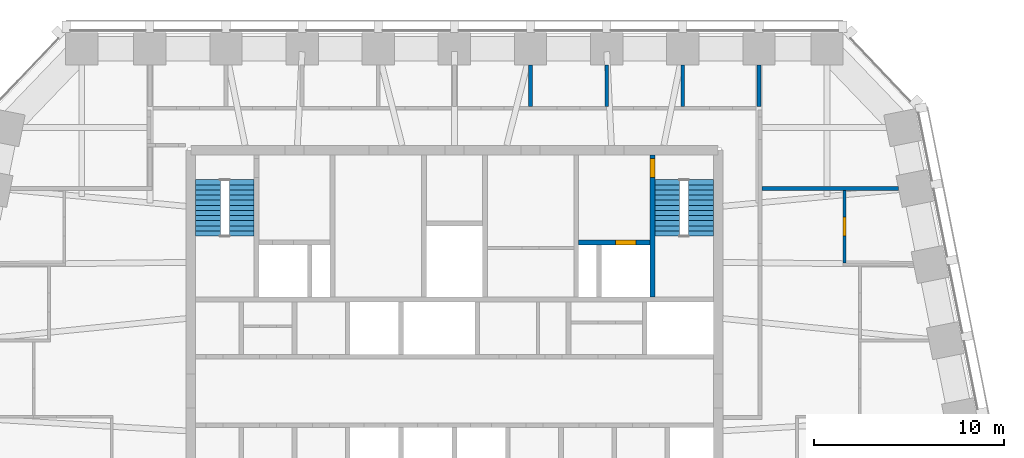
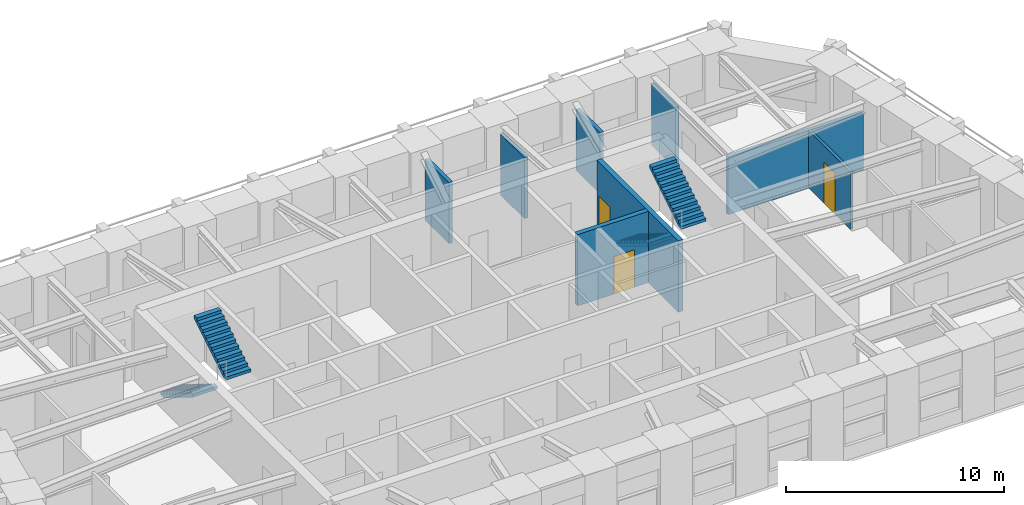
# One storey, part 7 of 9: 8 walls, 4 stair flights, 3 doors, 3 openings, 2 elements without a shape of their own.
"""IFC4 building model written with IfcOpenShell, lengths in metres."""

import ifcopenshell
import ifcopenshell.guid

model = None  # the IFC model being written
_history = None  # IfcOwnerHistory: only IFC2X3 demands one
_inside = {}  # id of a spatial element -> (the spatial element, [elements in it])
_under = {}  # id of a project, library or spatial element -> (it, [spatial elements below it])
_declared = {}  # id of a project -> (the project, [libraries it declares])
_typed = {}  # id of a type object -> (the type object, [elements of that type])
_made_of = {}  # id of a material, layer set ... -> (it, [elements and type objects made of it])


def new_model(schema):
    """Start an empty IFC model of exactly this schema.

    Asked for "IFC4X3", IfcOpenShell would pick the latest addendum, in which some entities
    have other attributes; the version numbers below select the first issue.
    IFC2X3 requires an IfcOwnerHistory on every rooted entity: one is made here for all.
    """
    global model, _history
    if schema == "IFC4X3":
        model = ifcopenshell.file(schema_version=(4, 3, 0, 0))
    else:
        model = ifcopenshell.file(schema=schema)
    _inside.clear()
    _under.clear()
    _declared.clear()
    _typed.clear()
    _made_of.clear()
    _history = None
    if model.schema == "IFC2X3":
        org = make("IfcOrganization", Name="unknown")
        user = make(
            "IfcPersonAndOrganization",
            ThePerson=make("IfcPerson", FamilyName="unknown"),
            TheOrganization=org,
        )
        app = make(
            "IfcApplication",
            ApplicationDeveloper=org,
            Version="unknown",
            ApplicationFullName="unknown",
            ApplicationIdentifier="unknown",
        )
        _history = make(
            "IfcOwnerHistory",
            OwningUser=user,
            OwningApplication=app,
            ChangeAction="ADDED",
            CreationDate=0,
        )
    return model


def make(cls, **values):
    """One entity of the class cls with the attributes given. An attribute that is None is left unset."""
    return model.create_entity(
        cls, **{name: value for name, value in values.items() if value is not None}
    )


def rooted(cls, **values):
    """An entity with a GlobalId (a new one), such as an element, a storey or a relation."""
    return make(cls, GlobalId=ifcopenshell.guid.new(), OwnerHistory=_history, **values)


def si_unit(unit_type, name, prefix=None):
    """IfcSIUnit, for example si_unit("LENGTHUNIT", "METRE", prefix="MILLI")."""
    return make("IfcSIUnit", UnitType=unit_type, Prefix=prefix, Name=name)


def assignment(units):
    """IfcUnitAssignment: the units of a project."""
    return None if units is None else make("IfcUnitAssignment", Units=units)


def point(xyz):
    """IfcCartesianPoint."""
    return None if xyz is None else make("IfcCartesianPoint", Coordinates=xyz)


def direction(xyz):
    """IfcDirection."""
    return None if xyz is None else make("IfcDirection", DirectionRatios=xyz)


def frame(location, z_axis=None, x_axis=None):
    """IfcAxis2Placement3D, a coordinate frame: its origin and axes. An axis left out is left unset."""
    return make(
        "IfcAxis2Placement3D",
        Location=point(location),
        Axis=direction(z_axis),
        RefDirection=direction(x_axis),
    )


def frame_2d(location, x_axis=None):
    """IfcAxis2Placement2D, a coordinate frame in the plane: its origin and x axis."""
    return make(
        "IfcAxis2Placement2D", Location=point(location), RefDirection=direction(x_axis)
    )


def origin():
    """The frame at (0, 0, 0) with its axes left unset."""
    return frame((0.0, 0.0, 0.0))


def place(relative_to, where):
    """IfcLocalPlacement: puts the frame where relative to a parent placement (None: the world)."""
    return make(
        "IfcLocalPlacement", PlacementRelTo=relative_to, RelativePlacement=where
    )


def context(
    kind, dimensions, precision=None, world=None, true_north=None, identifier=None
):
    """IfcGeometricRepresentationContext, for example the 3D "Model" context."""
    return make(
        "IfcGeometricRepresentationContext",
        ContextIdentifier=identifier,
        ContextType=kind,
        CoordinateSpaceDimension=dimensions,
        Precision=precision,
        WorldCoordinateSystem=world,
        TrueNorth=true_north,
    )


def subcontext(parent, identifier, kind, view, scale=None):
    """IfcGeometricRepresentationSubContext, for example "Body" below "Model"."""
    return make(
        "IfcGeometricRepresentationSubContext",
        ContextIdentifier=identifier,
        ContextType=kind,
        ParentContext=parent,
        TargetScale=scale,
        TargetView=view,
    )


def project(units=None, contexts=None):
    """IfcProject with its units and contexts."""
    return rooted(
        "IfcProject",
        Name="project",
        RepresentationContexts=contexts,
        UnitsInContext=assignment(units),
    )


def spatial(cls, under=None, at=None, **own):
    """A site, building, storey or space (cls), placed at a placement, below another one or the project."""
    s = rooted(cls, ObjectPlacement=at, **own)
    if under is not None:
        _under.setdefault(under.id(), (under, []))[1].append(s)
    return s


def polyline(points):
    """IfcPolyline through the points."""
    return make("IfcPolyline", Points=[point(p) for p in points])


def profile(cls, at=None, kind="AREA", **sizes):
    """A parametric profile (cls). Its sizes go by their IFC names, for example OverallWidth=200.0."""
    return make(cls, ProfileType=kind, Position=at, **sizes)


def rectangle(**sizes):
    """IfcRectangleProfileDef."""
    return profile("IfcRectangleProfileDef", **sizes)


def outline(outer, holes=None, kind="AREA"):
    """IfcArbitraryClosedProfileDef: a profile drawn as a closed curve; with holes, ...WithVoids."""
    if holes is None:
        return make("IfcArbitraryClosedProfileDef", ProfileType=kind, OuterCurve=outer)
    return make(
        "IfcArbitraryProfileDefWithVoids",
        ProfileType=kind,
        OuterCurve=outer,
        InnerCurves=holes,
    )


def extrude(swept, where, along, depth):
    """IfcExtrudedAreaSolid: the profile swept, set in the frame where, extruded along a direction by depth."""
    return make(
        "IfcExtrudedAreaSolid",
        SweptArea=swept,
        Position=where,
        ExtrudedDirection=direction(along),
        Depth=depth,
    )


def shape(context_of_items, identifier, shape_type, items):
    """IfcShapeRepresentation: the items that make up one representation, for example the "Body"."""
    return make(
        "IfcShapeRepresentation",
        ContextOfItems=context_of_items,
        RepresentationIdentifier=identifier,
        RepresentationType=shape_type,
        Items=items,
    )


def material(Name=None, Category=None):
    """IfcMaterial."""
    return make("IfcMaterial", Name=Name, Category=Category)


def layer(
    of_material, thickness, ventilated=None, Name=None, Category=None, Priority=None
):
    """IfcMaterialLayer: one layer of a wall or slab, of a material (None: an air gap)."""
    return make(
        "IfcMaterialLayer",
        Material=of_material,
        LayerThickness=thickness,
        IsVentilated=ventilated,
        Name=Name,
        Category=Category,
        Priority=Priority,
    )


def layer_set(layers, Name=None):
    """IfcMaterialLayerSet."""
    return make("IfcMaterialLayerSet", MaterialLayers=layers, LayerSetName=Name)


def made_of(thing, what):
    """Note that an element or type object is made of a material, layer set ...; save() writes the relation."""
    if what is not None:
        _made_of.setdefault(what.id(), (what, []))[1].append(thing)
    return thing


def type_object(cls, material=None, **own):
    """A type object (cls), such as IfcWallType, which elements share."""
    return made_of(rooted(cls, **own), material)


def element(
    cls,
    number,
    at=None,
    inside=None,
    cuts=None,
    type_object=None,
    material=None,
    context=None,
    identifier="Body",
    shape_type=None,
    held_by="IfcProductDefinitionShape",
    body=None,
    shapes=None,
    **own,
):
    """One element of the class cls, such as IfcWall. Its Tag is "e" and its number.

    at: its placement. inside: the storey or other place that contains it. cuts: it is an
    opening in that element (IfcRelVoidsElement). A single representation is given by context,
    identifier, shape_type and body (its items); several are given by shapes. held_by: the class
    of the entity that holds the representations. save() writes the other relations.
    """
    e = rooted(cls, Tag="e%d" % number, ObjectPlacement=at, **own)
    if body is not None:
        shapes = [shape(context, identifier, shape_type, body)]
    if shapes is not None:
        e.Representation = make(held_by, Representations=shapes)
    if inside is not None:
        _inside.setdefault(inside.id(), (inside, []))[1].append(e)
    if cuts is not None:
        rooted(
            "IfcRelVoidsElement", RelatingBuildingElement=cuts, RelatedOpeningElement=e
        )
    if type_object is not None:
        _typed.setdefault(type_object.id(), (type_object, []))[1].append(e)
    return made_of(e, material)


def fill(opening, filler):
    """IfcRelFillsElement: the door or window that sits in an opening."""
    return rooted(
        "IfcRelFillsElement",
        RelatingOpeningElement=opening,
        RelatedBuildingElement=filler,
    )


def aggregate(whole, parts):
    """IfcRelAggregates: a whole, such as a stair, and the parts it consists of."""
    return rooted("IfcRelAggregates", RelatingObject=whole, RelatedObjects=parts)


def save(model, path):
    """Write the relations noted so far, then the file.

    IfcRelAggregates (storeys below a building ...), IfcRelContainedInSpatialStructure (elements
    in a storey), IfcRelDefinesByType, IfcRelAssociatesMaterial and IfcRelDeclares: one each for
    every whole, place, type object, material and project.
    """
    for whole, parts in _under.values():
        aggregate(whole, parts)
    for where, things in _inside.values():
        rooted(
            "IfcRelContainedInSpatialStructure",
            RelatedElements=things,
            RelatingStructure=where,
        )
    for kind, things in _typed.values():
        rooted("IfcRelDefinesByType", RelatedObjects=things, RelatingType=kind)
    for what, things in _made_of.values():
        rooted("IfcRelAssociatesMaterial", RelatedObjects=things, RelatingMaterial=what)
    for by, libraries in _declared.values():
        rooted("IfcRelDeclares", RelatingContext=by, RelatedDefinitions=libraries)
    model.write(path)


model = new_model("IFC4")

# Units and contexts
model_context = context("Model", 3, precision=1e-05, world=origin(), true_north=direction((0.0, 1.0)))
body_context = subcontext(model_context, "Body", "Model", "MODEL_VIEW")
ifc_project = project(units=[si_unit("LENGTHUNIT", "METRE"), si_unit("AREAUNIT", "SQUARE_METRE"), si_unit("VOLUMEUNIT", "CUBIC_METRE"), si_unit("PLANEANGLEUNIT", "RADIAN"), si_unit("MASSUNIT", "GRAM", prefix="KILO")], contexts=[model_context])

# Site, building, storey
site_placement = place(None, origin())
site = spatial("IfcSite", under=ifc_project, at=site_placement, CompositionType="ELEMENT")
building_placement = place(site_placement, origin())
building = spatial("IfcBuilding", under=site, at=building_placement, Name="Isbrekke Arena Tower", CompositionType="ELEMENT")
storey_placement = place(building_placement, frame((0.0, 0.0, 312.0)))
storey = spatial("IfcBuildingStorey", under=building, at=storey_placement, Name="L73", CompositionType="ELEMENT", Elevation=312.0)

# Wall, opening, door
ifc_material_1 = material(Name="Concrete B45 (C45/55)", Category="concrete")
ifc_layer_1 = layer(ifc_material_1, 0.25)
ifc_layer_set_1 = layer_set([ifc_layer_1], Name="CW6 SHAFT WALL 250")
wall_type_1 = type_object("IfcWallType", Name="CW6 SHAFT WALL 250", PredefinedType="SHEAR", material=ifc_layer_set_1)
wall_1_placement = place(storey_placement, frame((10.39990234375, 16.125, 0.0), z_axis=(0.0, 0.0, 1.0), x_axis=(0.0, 1.0, 0.0)))
wall_1 = element("IfcWall", 1, at=wall_1_placement, inside=storey, type_object=wall_type_1, Name="Core wall NV06 L73", PredefinedType="SHEAR", context=body_context, shape_type="SweptSolid", body=[
    extrude(rectangle(XDim=7.47509765625, YDim=0.25, at=frame_2d((3.737548828125, 0.0))), origin(), (0.0, 0.0, 1.0), 4.0),
])
opening_1_placement = place(wall_1_placement, frame((6.27490234375, 0.0, 0.0)))
opening_1 = element("IfcOpeningElement", 2, at=opening_1_placement, cuts=wall_1, Name="Opening D2", PredefinedType="OPENING", context=body_context, shape_type="SweptSolid", body=[
    extrude(rectangle(XDim=1.0, YDim=2.10009765625, at=frame_2d((0.5, 1.050048828125))), frame((0.0, 0.139892578125, 0.0), z_axis=(0.0, -1.0, 0.0), x_axis=(1.0, 0.0, 0.0)), (0.0, 0.0, 1.0), 0.27978515625),
])
ifc_material_2 = material(Name="Steel fire door", Category="steel")
door_type_1 = type_object("IfcDoorType", Name="D2 STAIR DOOR 1000 x 2100", OperationType="SINGLE_SWING_LEFT", PredefinedType="DOOR", material=ifc_material_2)
door_1_placement = place(opening_1_placement, origin())
door_1 = element("IfcDoor", 3, at=door_1_placement, inside=storey, type_object=door_type_1, Name="D2 stair door ST2 L73", OperationType="SINGLE_SWING_LEFT", OverallHeight=2.10009765625, OverallWidth=1.0, PredefinedType="DOOR", context=body_context, shape_type="SweptSolid", body=[
    extrude(rectangle(XDim=1.0, YDim=2.10009765625, at=frame_2d((0.5, 1.050048828125))), frame((0.0, 0.124755859375, 0.0), z_axis=(0.0, -1.0, 0.0), x_axis=(1.0, 0.0, 0.0)), (0.0, 0.0, 1.0), 0.24951171875),
])
fill(opening_1, door_1)

wall_2_placement = place(storey_placement, frame((6.52490234375, 19.0, 0.0), z_axis=(0.0, 0.0, 1.0), x_axis=(1.0, 0.0, 0.0)))
wall_2 = element("IfcWall", 4, at=wall_2_placement, inside=storey, type_object=wall_type_1, Name="Core wall NFE L73", PredefinedType="SHEAR", context=body_context, shape_type="SweptSolid", body=[
    extrude(rectangle(XDim=3.75, YDim=0.25, at=frame_2d((1.875, 0.0))), origin(), (0.0, 0.0, 1.0), 4.0),
])
opening_2_placement = place(wall_2_placement, frame((1.925048828125, 0.0, 0.0)))
opening_2 = element("IfcOpeningElement", 5, at=opening_2_placement, cuts=wall_2, Name="Opening LD2", PredefinedType="OPENING", context=body_context, shape_type="SweptSolid", body=[
    extrude(rectangle(XDim=1.10009765625, YDim=2.10009765625, at=frame_2d((0.550048828125, 1.050048828125))), frame((0.0, 0.139892578125, 0.0), z_axis=(0.0, -1.0, 0.0), x_axis=(1.0, 0.0, 0.0)), (0.0, 0.0, 1.0), 0.27978515625),
])
ifc_material_3 = material(Name="Stainless steel lift landing door", Category="steel")
door_type_2 = type_object("IfcDoorType", Name="LD2 FIRE-FIGHTING LIFT LANDING DOOR 1100 x 2100", OperationType="SLIDING_TO_RIGHT", PredefinedType="DOOR", material=ifc_material_3)
door_2_placement = place(opening_2_placement, origin())
door_2 = element("IfcDoor", 6, at=door_2_placement, inside=storey, type_object=door_type_2, Name="LD2 lift landing door LF L73", OperationType="SLIDING_TO_RIGHT", OverallHeight=2.10009765625, OverallWidth=1.10009765625, PredefinedType="DOOR", context=body_context, shape_type="SweptSolid", body=[
    extrude(rectangle(XDim=1.10009765625, YDim=2.10009765625, at=frame_2d((0.550048828125, 1.050048828125))), frame((0.0, 0.124755859375, 0.0), z_axis=(0.0, -1.0, 0.0), x_axis=(1.0, 0.0, 0.0)), (0.0, 0.0, 1.0), 0.24951171875),
])
fill(opening_2, door_2)

ifc_material_4 = material(Name="Gypsum board partition on steel studs", Category="steel")
ifc_layer_2 = layer(ifc_material_4, 0.14990234375)
ifc_layer_set_2 = layer_set([ifc_layer_2], Name="IW1 PARTITION 150")
wall_type_2 = type_object("IfcWallType", Name="IW1 PARTITION 150", PredefinedType="PARTITIONING", material=ifc_layer_set_2)
wall_3_placement = place(storey_placement, frame((20.5, 17.9150390625, 0.0), z_axis=(0.0, 0.0, 1.0), x_axis=(0.0, 1.0, 0.0)))
wall_3 = element("IfcWall", 7, at=wall_3_placement, inside=storey, type_object=wall_type_2, Name="IW1 partition 150 L73", PredefinedType="PARTITIONING", context=body_context, shape_type="SweptSolid", body=[
    extrude(rectangle(XDim=3.824951171875, YDim=0.14990234375, at=frame_2d((1.91259765625, 0.0))), origin(), (0.0, 0.0, 1.0), 3.22998046875),
])
opening_3_placement = place(wall_3_placement, frame((1.425048828125, 0.0, 0.0)))
opening_3 = element("IfcOpeningElement", 8, at=opening_3_placement, cuts=wall_3, Name="Opening D10", PredefinedType="OPENING", context=body_context, shape_type="SweptSolid", body=[
    extrude(rectangle(XDim=1.0, YDim=2.300048828125, at=frame_2d((0.5, 1.14990234375))), frame((0.0, 0.08984375, 0.0), z_axis=(0.0, -1.0, 0.0), x_axis=(1.0, 0.0, 0.0)), (0.0, 0.0, 1.0), 0.1796875),
])
ifc_material_5 = material(Name="Timber door", Category="wood")
door_type_3 = type_object("IfcDoorType", Name="D10 OFFICE DOOR 1000 x 2300", OperationType="SINGLE_SWING_LEFT", PredefinedType="DOOR", material=ifc_material_5)
door_3_placement = place(opening_3_placement, origin())
door_3 = element("IfcDoor", 9, at=door_3_placement, inside=storey, type_object=door_type_3, Name="D10 executive office door L73", OperationType="SINGLE_SWING_LEFT", OverallHeight=2.300048828125, OverallWidth=1.0, PredefinedType="DOOR", context=body_context, shape_type="SweptSolid", body=[
    extrude(rectangle(XDim=1.0, YDim=2.300048828125, at=frame_2d((0.5, 1.14990234375))), frame((0.0, 0.07470703125, 0.0), z_axis=(0.0, -1.0, 0.0), x_axis=(1.0, 0.0, 0.0)), (0.0, 0.0, 1.0), 0.1494140625),
])
fill(opening_3, door_3)

# Walls
ifc_material_6 = material(Name="Gypsum board fire-cell wall on steel studs, two layers each side", Category="steel")
ifc_layer_3 = layer(ifc_material_6, 0.199951171875)
ifc_layer_set_3 = layer_set([ifc_layer_3], Name="IW3 FIRE-CELL WALL 200")
wall_type_3 = type_object("IfcWallType", Name="IW3 FIRE-CELL WALL 200", PredefinedType="PARTITIONING", material=ifc_layer_set_3)
wall_4_placement = place(storey_placement, frame((16.14990234375, 21.840087890625, 0.0), z_axis=(0.0, 0.0, 1.0), x_axis=(1.0, 0.0, 0.0)))
element("IfcWall", 10, at=wall_4_placement, inside=storey, type_object=wall_type_3, Name="IW3 fire-cell wall 200 L73", PredefinedType="PARTITIONING", context=body_context, shape_type="SweptSolid", body=[
    extrude(rectangle(XDim=7.173828125, YDim=0.199951171875, at=frame_2d((3.5869140625, 0.0))), origin(), (0.0, 0.0, 1.0), 3.22998046875),
])
for number, where, z_axis, x_axis, name in (
    (11, (4.0, 26.14990234375, 0.0), (0.0, 0.0, 1.0), (0.0, 1.0, 0.0), "IW3 fire-cell wall 200 L73"),
    (12, (8.0, 26.14990234375, 0.0), (0.0, 0.0, 1.0), (0.0, 1.0, 0.0), "IW3 fire-cell wall 200 L73"),
    (13, (12.0, 26.14990234375, 0.0), (0.0, 0.0, 1.0), (0.0, 1.0, 0.0), "IW3 fire-cell wall 200 L73"),
    (14, (16.0, 26.14990234375, 0.0), (0.0, 0.0, 1.0), (0.0, 1.0, 0.0), "IW3 fire-cell wall 200 L73"),
):
    element("IfcWall", number, at=place(storey_placement, frame(where, z_axis=z_axis, x_axis=x_axis)), inside=storey, type_object=wall_type_3, Name=name, PredefinedType="PARTITIONING", context=body_context, shape_type="SweptSolid", body=[
        extrude(rectangle(XDim=2.175048828125, YDim=0.199951171875, at=frame_2d((1.08740234375, 0.0))), origin(), (0.0, 0.0, 1.0), 3.41796875),
    ])

# Stair, stair flights
ifc_material_7 = material(Name="Concrete B45 (C45/55) precast", Category="concrete")
stair_type = type_object("IfcStairType", Name="ST40 STAIR 1300 WIDE, 24 RISERS 167", PredefinedType="HALF_TURN_STAIR", material=ifc_material_7)
stair_1_placement = place(storey_placement, origin())
stair_1 = element("IfcStair", 15, at=stair_1_placement, inside=storey, type_object=stair_type, Name="ST1 stair L73", PredefinedType="HALF_TURN_STAIR")
ifc_material_8 = material(Name="Concrete B45 (C45/55) precast", Category="concrete")
stair_flight_type = type_object("IfcStairFlightType", Name="SF 1300 FLIGHT", PredefinedType="STRAIGHT", material=ifc_material_8)
stair_flight_1_placement = place(storey_placement, frame((-12.949951171875, 22.300048828125, 0.0), z_axis=(0.0, 0.0, 1.0), x_axis=(0.0, -1.0, 0.0)))
stair_flight_1 = element("IfcStairFlight", 16, at=stair_flight_1_placement, type_object=stair_flight_type, Name="ST1 flight 1", NumberOfRisers=12, NumberOfTreads=11, PredefinedType="STRAIGHT", RiserHeight=0.166666667, TreadLength=0.27, context=body_context, shape_type="SweptSolid", body=[
    extrude(outline(polyline([(0.0, 0.0), (0.0, 0.166748046875), (0.27001953125, 0.166748046875), (0.27001953125, 0.333251953125), (0.5400390625, 0.333251953125), (0.5400390625, 0.5), (0.81005859375, 0.5), (0.81005859375, 0.666748046875), (1.080078125, 0.666748046875), (1.080078125, 0.833251953125), (1.35009765625, 0.833251953125), (1.35009765625, 1.0), (1.6201171875, 1.0), (1.6201171875, 1.166748046875), (1.889892578125, 1.166748046875), (1.889892578125, 1.333251953125), (2.159912109375, 1.333251953125), (2.159912109375, 1.5), (2.429931640625, 1.5), (2.429931640625, 1.666748046875), (2.699951171875, 1.666748046875), (2.699951171875, 1.833251953125), (2.969970703125, 1.833251953125), (2.969970703125, 2.0), (2.969970703125, 1.6572265625), (0.285400390625, 0.0), (0.0, 0.0)])), frame((0.0, 0.64990234375, 0.0), z_axis=(0.0, -1.0, 0.0), x_axis=(1.0, 0.0, 0.0)), (0.0, 0.0, 1.0), 1.300048828125),
])
stair_flight_2_placement = place(storey_placement, frame((-11.175048828125, 19.330078125, 2.0), z_axis=(0.0, 0.0, 1.0), x_axis=(0.0, 1.0, 0.0)))
stair_flight_2 = element("IfcStairFlight", 17, at=stair_flight_2_placement, type_object=stair_flight_type, Name="ST1 flight 2", NumberOfRisers=12, NumberOfTreads=11, PredefinedType="STRAIGHT", RiserHeight=0.166666667, TreadLength=0.27, context=body_context, shape_type="SweptSolid", body=[
    extrude(outline(polyline([(0.0, 0.0), (0.0, 0.166748046875), (0.27001953125, 0.166748046875), (0.27001953125, 0.333251953125), (0.5400390625, 0.333251953125), (0.5400390625, 0.5), (0.81005859375, 0.5), (0.81005859375, 0.666748046875), (1.080078125, 0.666748046875), (1.080078125, 0.833251953125), (1.35009765625, 0.833251953125), (1.35009765625, 1.0), (1.6201171875, 1.0), (1.6201171875, 1.166748046875), (1.889892578125, 1.166748046875), (1.889892578125, 1.333251953125), (2.159912109375, 1.333251953125), (2.159912109375, 1.5), (2.429931640625, 1.5), (2.429931640625, 1.666748046875), (2.699951171875, 1.666748046875), (2.699951171875, 1.833251953125), (2.969970703125, 1.833251953125), (2.969970703125, 2.0), (2.969970703125, 1.6572265625), (0.285400390625, 0.0), (0.0, 0.0)])), frame((0.0, 0.64990234375, 0.0), z_axis=(0.0, -1.0, 0.0), x_axis=(1.0, 0.0, 0.0)), (0.0, 0.0, 1.0), 1.300048828125),
])
aggregate(stair_1, [stair_flight_1, stair_flight_2])

stair_2_placement = place(storey_placement, origin())
stair_2 = element("IfcStair", 18, at=stair_2_placement, inside=storey, type_object=stair_type, Name="ST2 stair L73", PredefinedType="HALF_TURN_STAIR")
stair_flight_3_placement = place(storey_placement, frame((11.175048828125, 22.300048828125, 0.0), z_axis=(0.0, 0.0, 1.0), x_axis=(0.0, -1.0, 0.0)))
stair_flight_3 = element("IfcStairFlight", 19, at=stair_flight_3_placement, type_object=stair_flight_type, Name="ST2 flight 1", NumberOfRisers=12, NumberOfTreads=11, PredefinedType="STRAIGHT", RiserHeight=0.166666667, TreadLength=0.27, context=body_context, shape_type="SweptSolid", body=[
    extrude(outline(polyline([(0.0, 0.0), (0.0, 0.166748046875), (0.27001953125, 0.166748046875), (0.27001953125, 0.333251953125), (0.5400390625, 0.333251953125), (0.5400390625, 0.5), (0.81005859375, 0.5), (0.81005859375, 0.666748046875), (1.080078125, 0.666748046875), (1.080078125, 0.833251953125), (1.35009765625, 0.833251953125), (1.35009765625, 1.0), (1.6201171875, 1.0), (1.6201171875, 1.166748046875), (1.889892578125, 1.166748046875), (1.889892578125, 1.333251953125), (2.159912109375, 1.333251953125), (2.159912109375, 1.5), (2.429931640625, 1.5), (2.429931640625, 1.666748046875), (2.699951171875, 1.666748046875), (2.699951171875, 1.833251953125), (2.969970703125, 1.833251953125), (2.969970703125, 2.0), (2.969970703125, 1.6572265625), (0.285400390625, 0.0), (0.0, 0.0)])), frame((0.0, 0.64990234375, 0.0), z_axis=(0.0, -1.0, 0.0), x_axis=(1.0, 0.0, 0.0)), (0.0, 0.0, 1.0), 1.300048828125),
])
stair_flight_4_placement = place(storey_placement, frame((12.949951171875, 19.330078125, 2.0), z_axis=(0.0, 0.0, 1.0), x_axis=(0.0, 1.0, 0.0)))
stair_flight_4 = element("IfcStairFlight", 20, at=stair_flight_4_placement, type_object=stair_flight_type, Name="ST2 flight 2", NumberOfRisers=12, NumberOfTreads=11, PredefinedType="STRAIGHT", RiserHeight=0.166666667, TreadLength=0.27, context=body_context, shape_type="SweptSolid", body=[
    extrude(outline(polyline([(0.0, 0.0), (0.0, 0.166748046875), (0.27001953125, 0.166748046875), (0.27001953125, 0.333251953125), (0.5400390625, 0.333251953125), (0.5400390625, 0.5), (0.81005859375, 0.5), (0.81005859375, 0.666748046875), (1.080078125, 0.666748046875), (1.080078125, 0.833251953125), (1.35009765625, 0.833251953125), (1.35009765625, 1.0), (1.6201171875, 1.0), (1.6201171875, 1.166748046875), (1.889892578125, 1.166748046875), (1.889892578125, 1.333251953125), (2.159912109375, 1.333251953125), (2.159912109375, 1.5), (2.429931640625, 1.5), (2.429931640625, 1.666748046875), (2.699951171875, 1.666748046875), (2.699951171875, 1.833251953125), (2.969970703125, 1.833251953125), (2.969970703125, 2.0), (2.969970703125, 1.6572265625), (0.285400390625, 0.0), (0.0, 0.0)])), frame((0.0, 0.64990234375, 0.0), z_axis=(0.0, -1.0, 0.0), x_axis=(1.0, 0.0, 0.0)), (0.0, 0.0, 1.0), 1.300048828125),
])
aggregate(stair_2, [stair_flight_3, stair_flight_4])

save(model, "model.ifc")
